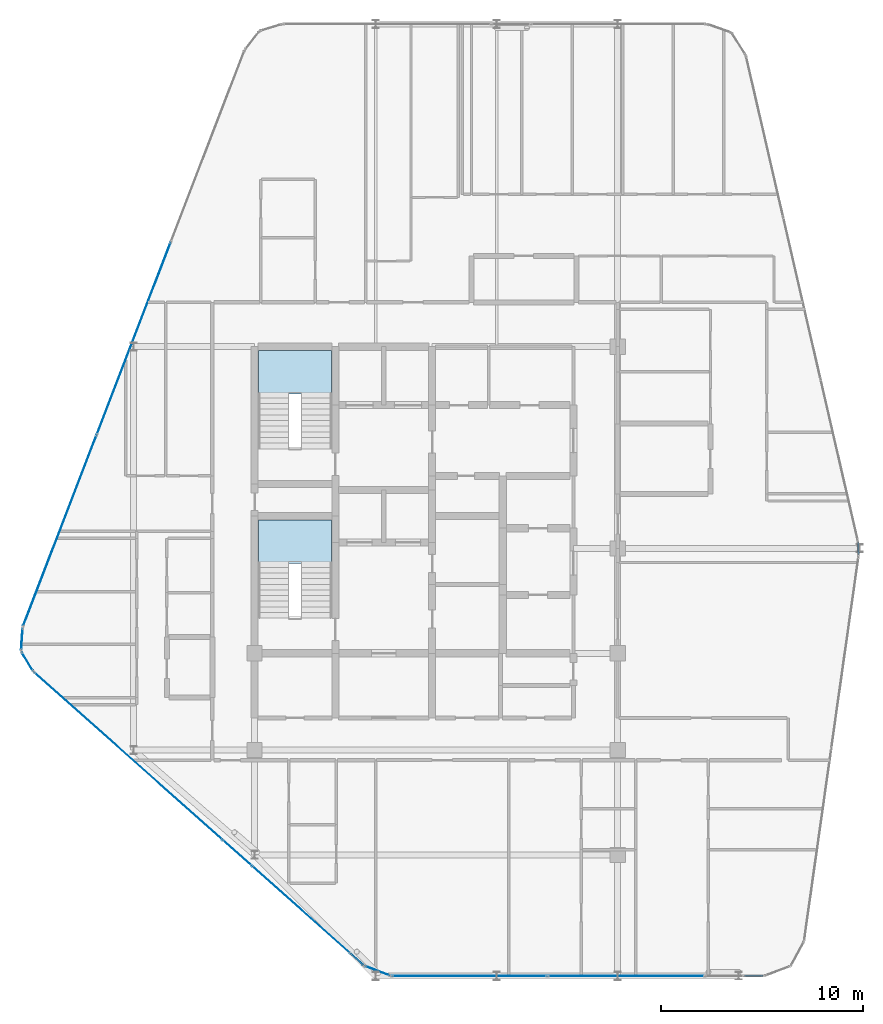
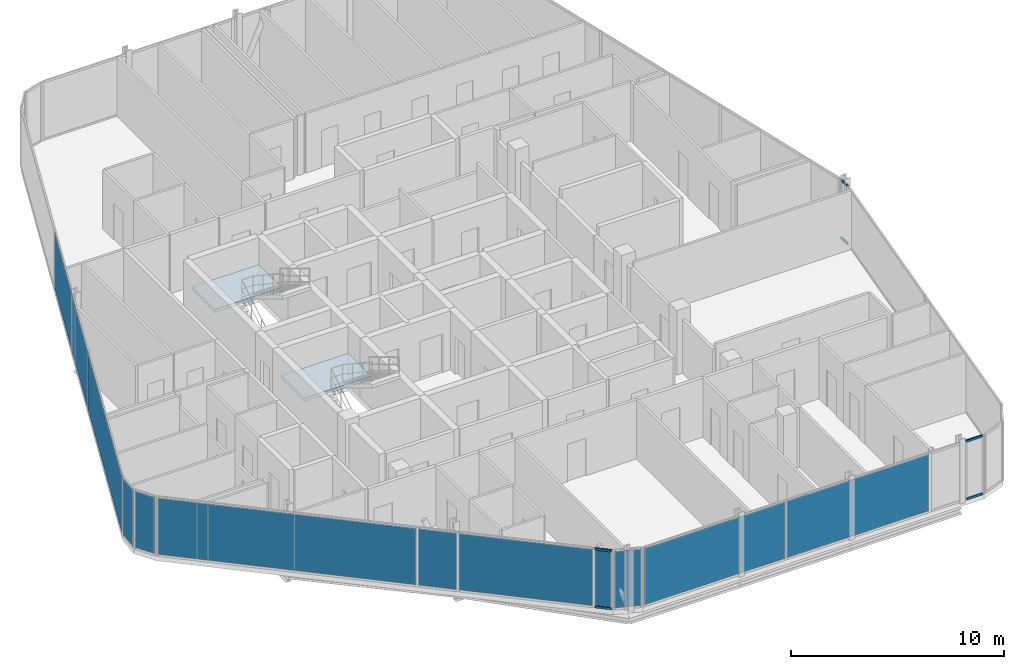
# One storey, part 22 of 31: 11 plates, 6 members, 2 slabs, 13 elements without a shape of their own.
"""IFC4 building model written with IfcOpenShell, lengths in metres."""

from ifc_helpers import new_model, si_unit, direction, frame, origin, origin_2d, place, context, subcontext, project, spatial, polyline, rectangle, hollow_rectangle, outline, extrude, material, layer, layer_set, material_profile, profile_set, type_object, element, aggregate, save


model = new_model("IFC4")

# Units and contexts
model_context = context("Model", 3, precision=1e-05, world=origin(), true_north=direction((0.0, 1.0)))
body_context = subcontext(model_context, "Body", "Model", "MODEL_VIEW")
ifc_project = project(units=[si_unit("LENGTHUNIT", "METRE"), si_unit("AREAUNIT", "SQUARE_METRE"), si_unit("VOLUMEUNIT", "CUBIC_METRE"), si_unit("PLANEANGLEUNIT", "RADIAN"), si_unit("MASSUNIT", "GRAM", prefix="KILO")], contexts=[model_context])

# Site, building, storey
site_placement = place(None, origin())
site = spatial("IfcSite", under=ifc_project, at=site_placement, CompositionType="ELEMENT")
building_placement = place(site_placement, origin())
building = spatial("IfcBuilding", under=site, at=building_placement, Name="Keshet Zoharim Tower", CompositionType="ELEMENT")
storey_placement = place(building_placement, frame((0.0, 0.0, 276.89990234375)))
storey = spatial("IfcBuildingStorey", under=building, at=storey_placement, Name="L69", CompositionType="ELEMENT", Elevation=276.89990234375)

# Curtain wall, members
ifc_material_1 = material(Name="Aluminium 6063-T6", Category="aluminium")
ifc_layer_1 = layer(ifc_material_1, 0.260009765625)
ifc_layer_set_1 = layer_set([ifc_layer_1], Name="Aluminium 6063-T6")
curtain_wall_type = type_object("IfcCurtainWallType", Name="CW-SYS-06", PredefinedType="NOTDEFINED", material=ifc_layer_set_1)
curtain_wall_1_placement = place(storey_placement, origin())
curtain_wall_1 = element("IfcCurtainWall", 1, at=curtain_wall_1_placement, inside=storey, type_object=curtain_wall_type, Name="L69 Unitised Curtain Wall 10", PredefinedType="NOTDEFINED")
ifc_material_profile = material_profile(ifc_material_1, hollow_rectangle(XDim=0.074951171875, YDim=0.1201171875, WallThickness=0.00390625, at=origin_2d()), Name="TRN-75x120")
ifc_profile_set = profile_set([ifc_material_profile], Name="Aluminium 6063-T6")
member_type = type_object("IfcMemberType", Name="CWT-T12", PredefinedType="USERDEFINED", material=ifc_profile_set)
member_1_placement = place(storey_placement, frame((44.9189453125, 28.192138671875, 0.03515625), z_axis=(0.043813905352, -0.99903970977, 0.0), x_axis=(0.99903970977, 0.043813905352, 0.0)))
member_1 = element("IfcMember", 2, at=member_1_placement, type_object=member_type, Name="CW-06 transom 1.1", ObjectType="TRANSOM", PredefinedType="USERDEFINED", context=body_context, shape_type="SweptSolid", body=[
    extrude(hollow_rectangle(XDim=0.074951171875, YDim=0.1201171875, WallThickness=0.00390625, at=origin_2d()), origin(), (0.0, 0.0, 1.0), 0.590576171875),
])
member_2_placement = place(storey_placement, frame((44.9189453125, 28.192138671875, 3.35498046875), z_axis=(0.043813905352, -0.99903970977, 0.0), x_axis=(0.99903970977, 0.043813905352, 0.0)))
member_2 = element("IfcMember", 3, at=member_2_placement, type_object=member_type, Name="CW-06 transom 1.2", ObjectType="TRANSOM", PredefinedType="USERDEFINED", context=body_context, shape_type="SweptSolid", body=[
    extrude(hollow_rectangle(XDim=0.074951171875, YDim=0.1201171875, WallThickness=0.00390625, at=origin_2d()), origin(), (0.0, 0.0, 1.0), 0.590576171875),
])
aggregate(curtain_wall_1, [member_1, member_2])

curtain_wall_2_placement = place(storey_placement, origin())
curtain_wall_2 = element("IfcCurtainWall", 4, at=curtain_wall_2_placement, inside=storey, type_object=curtain_wall_type, Name="L69 Unitised Curtain Wall 14", PredefinedType="NOTDEFINED")
member_3_placement = place(storey_placement, frame((40.193115234375, 6.699951171875, 0.03515625), z_axis=(-1.0, 0.0, 0.0), x_axis=(0.0, -1.0, 0.0)))
member_3 = element("IfcMember", 5, at=member_3_placement, type_object=member_type, Name="CW-06 transom 1.1", ObjectType="TRANSOM", PredefinedType="USERDEFINED", context=body_context, shape_type="SweptSolid", body=[
    extrude(hollow_rectangle(XDim=0.074951171875, YDim=0.1201171875, WallThickness=0.00390625, at=origin_2d()), origin(), (0.0, 0.0, 1.0), 0.898193359375),
])
member_4_placement = place(storey_placement, frame((40.193115234375, 6.699951171875, 3.35498046875), z_axis=(-1.0, 0.0, 0.0), x_axis=(0.0, -1.0, 0.0)))
member_4 = element("IfcMember", 6, at=member_4_placement, type_object=member_type, Name="CW-06 transom 1.2", ObjectType="TRANSOM", PredefinedType="USERDEFINED", context=body_context, shape_type="SweptSolid", body=[
    extrude(hollow_rectangle(XDim=0.074951171875, YDim=0.1201171875, WallThickness=0.00390625, at=origin_2d()), origin(), (0.0, 0.0, 1.0), 0.898193359375),
])
aggregate(curtain_wall_2, [member_3, member_4])

curtain_wall_3_placement = place(storey_placement, origin())
curtain_wall_3 = element("IfcCurtainWall", 7, at=curtain_wall_3_placement, inside=storey, type_object=curtain_wall_type, Name="L69 Unitised Curtain Wall 16", PredefinedType="NOTDEFINED")
member_5_placement = place(storey_placement, frame((20.379638671875, 7.25146484375, 0.03515625), z_axis=(-0.747425688953, 0.66434542182, 0.0), x_axis=(-0.66434542182, -0.747425688953, 0.0)))
member_5 = element("IfcMember", 8, at=member_5_placement, type_object=member_type, Name="CW-06 transom 1.1", ObjectType="TRANSOM", PredefinedType="USERDEFINED", context=body_context, shape_type="SweptSolid", body=[
    extrude(hollow_rectangle(XDim=0.074951171875, YDim=0.1201171875, WallThickness=0.00390625, at=origin_2d()), origin(), (0.0, 0.0, 1.0), 0.82275390625),
])
member_6_placement = place(storey_placement, frame((20.379638671875, 7.25146484375, 3.35498046875), z_axis=(-0.747425688953, 0.66434542182, 0.0), x_axis=(-0.66434542182, -0.747425688953, 0.0)))
member_6 = element("IfcMember", 9, at=member_6_placement, type_object=member_type, Name="CW-06 transom 1.2", ObjectType="TRANSOM", PredefinedType="USERDEFINED", context=body_context, shape_type="SweptSolid", body=[
    extrude(hollow_rectangle(XDim=0.074951171875, YDim=0.1201171875, WallThickness=0.00390625, at=origin_2d()), origin(), (0.0, 0.0, 1.0), 0.82275390625),
])

# Curtain wall, plate
curtain_wall_4_placement = place(storey_placement, origin())
curtain_wall_4 = element("IfcCurtainWall", 10, at=curtain_wall_4_placement, inside=storey, type_object=curtain_wall_type, Name="L69 Unitised Curtain Wall 01", PredefinedType="NOTDEFINED")
ifc_material_2 = material(Name="Insulated Low-E Clear Glass", Category="glass")
ifc_layer_2 = layer(ifc_material_2, 0.028076171875)
ifc_layer_set_2 = layer_set([ifc_layer_2], Name="Insulated Low-E Clear Glass")
plate_type_1 = type_object("IfcPlateType", Name="CWP-03", PredefinedType="CURTAIN_PANEL", material=ifc_layer_set_2)
plate_1_placement = place(storey_placement, frame((3.7275390625, 22.291015625, 0.070068359375), z_axis=(0.0, 0.0, 1.0), x_axis=(-0.515604947933, 0.856826433805, 0.0)))
plate_1 = element("IfcPlate", 11, at=plate_1_placement, type_object=plate_type_1, Name="CW-06 panel 1.1", PredefinedType="CURTAIN_PANEL", context=body_context, shape_type="SweptSolid", body=[
    extrude(rectangle(XDim=1.052734375, YDim=0.028076171875, at=origin_2d()), origin(), (0.0, 0.0, 1.0), 3.25),
])
aggregate(curtain_wall_4, [plate_1])

curtain_wall_5_placement = place(storey_placement, origin())
curtain_wall_5 = element("IfcCurtainWall", 12, at=curtain_wall_5_placement, inside=storey, type_object=curtain_wall_type, Name="L69 Unitised Curtain Wall 02", PredefinedType="NOTDEFINED")
plate_2_placement = place(storey_placement, frame((3.45849609375, 23.3974609375, 0.070068359375), z_axis=(0.0, 0.0, 1.0), x_axis=(0.064516859374, 0.997916617186, 0.0)))
plate_2 = element("IfcPlate", 13, at=plate_2_placement, type_object=plate_type_1, Name="CW-06 panel 1.1", PredefinedType="CURTAIN_PANEL", context=body_context, shape_type="SweptSolid", body=[
    extrude(rectangle(XDim=1.053466796875, YDim=0.028076171875, at=origin_2d()), origin(), (0.0, 0.0, 1.0), 3.25),
])
aggregate(curtain_wall_5, [plate_2])

# Curtain wall, plates
curtain_wall_6_placement = place(storey_placement, origin())
curtain_wall_6 = element("IfcCurtainWall", 14, at=curtain_wall_6_placement, inside=storey, type_object=curtain_wall_type, Name="L69 Unitised Curtain Wall 03", PredefinedType="NOTDEFINED")
plate_3_placement = place(storey_placement, frame((5.33837890625, 28.7802734375, 0.070068359375), z_axis=(0.0, 0.0, 1.0), x_axis=(0.358990003907, 0.933341404361, 0.0)))
plate_3 = element("IfcPlate", 15, at=plate_3_placement, type_object=plate_type_1, Name="CW-06 panel 1.1", PredefinedType="CURTAIN_PANEL", context=body_context, shape_type="SweptSolid", body=[
    extrude(rectangle(XDim=10.1181640625, YDim=0.028076171875, at=origin_2d()), origin(), (0.0, 0.0, 1.0), 3.25),
])
plate_4_placement = place(storey_placement, frame((9.001953125, 38.305419921875, 0.070068359375), z_axis=(0.0, 0.0, 1.0), x_axis=(0.358990003907, 0.933341404361, 0.0)))
plate_4 = element("IfcPlate", 16, at=plate_4_placement, type_object=plate_type_1, Name="CW-06 panel 2.1", PredefinedType="CURTAIN_PANEL", context=body_context, shape_type="SweptSolid", body=[
    extrude(rectangle(XDim=10.153076171875, YDim=0.028076171875, at=origin_2d()), origin(), (0.0, 0.0, 1.0), 3.25),
])
aggregate(curtain_wall_6, [plate_3, plate_4])

curtain_wall_7_placement = place(storey_placement, origin())
curtain_wall_7 = element("IfcCurtainWall", 17, at=curtain_wall_7_placement, inside=storey, type_object=curtain_wall_type, Name="L69 Unitised Curtain Wall 14 Part 3", PredefinedType="NOTDEFINED")
plate_5_placement = place(storey_placement, frame((33.413818359375, 6.699951171875, 0.070068359375), z_axis=(0.0, 0.0, 1.0), x_axis=(-1.0, 0.0, 0.0)))
plate_5 = element("IfcPlate", 18, at=plate_5_placement, type_object=plate_type_1, Name="CW-06 panel 1.1", PredefinedType="CURTAIN_PANEL", context=body_context, shape_type="SweptSolid", body=[
    extrude(rectangle(XDim=7.72265625, YDim=0.028076171875, at=origin_2d()), origin(), (0.0, 0.0, 1.0), 3.25),
])
plate_6_placement = place(storey_placement, frame((25.65625, 6.699951171875, 0.070068359375), z_axis=(0.0, 0.0, 1.0), x_axis=(-1.0, 0.0, 0.0)))
plate_6 = element("IfcPlate", 19, at=plate_6_placement, type_object=plate_type_1, Name="CW-06 panel 2.1", PredefinedType="CURTAIN_PANEL", context=body_context, shape_type="SweptSolid", body=[
    extrude(rectangle(XDim=7.652587890625, YDim=0.028076171875, at=origin_2d()), origin(), (0.0, 0.0, 1.0), 3.25),
])
aggregate(curtain_wall_7, [plate_5, plate_6])

# Curtain wall, plate
curtain_wall_8_placement = place(storey_placement, origin())
curtain_wall_8 = element("IfcCurtainWall", 20, at=curtain_wall_8_placement, inside=storey, type_object=curtain_wall_type, Name="L69 Unitised Curtain Wall 16 Part 2", PredefinedType="NOTDEFINED")
plate_7_placement = place(storey_placement, frame((17.30078125, 9.98828125, 0.070068359375), z_axis=(0.0, 0.0, 1.0), x_axis=(-0.747408472879, 0.664364790358, 0.0)))
plate_7 = element("IfcPlate", 21, at=plate_7_placement, type_object=plate_type_1, Name="CW-06 panel 1.1", PredefinedType="CURTAIN_PANEL", context=body_context, shape_type="SweptSolid", body=[
    extrude(rectangle(XDim=6.453125, YDim=0.028076171875, at=origin_2d()), origin(), (0.0, 0.0, 1.0), 3.25),
])
aggregate(curtain_wall_8, [plate_7])

curtain_wall_9_placement = place(storey_placement, origin())
curtain_wall_9 = element("IfcCurtainWall", 22, at=curtain_wall_9_placement, inside=storey, type_object=curtain_wall_type, Name="L69 Unitised Curtain Wall 16 Part 4", PredefinedType="NOTDEFINED")
plate_8_placement = place(storey_placement, frame((8.7333984375, 17.603515625, 0.070068359375), z_axis=(0.0, 0.0, 1.0), x_axis=(-0.747409318679, 0.664363838836, 0.0)))
plate_8 = element("IfcPlate", 23, at=plate_8_placement, type_object=plate_type_1, Name="CW-06 panel 1.1", PredefinedType="CURTAIN_PANEL", context=body_context, shape_type="SweptSolid", body=[
    extrude(rectangle(XDim=12.432861328125, YDim=0.028076171875, at=origin_2d()), origin(), (0.0, 0.0, 1.0), 3.25),
])
aggregate(curtain_wall_9, [plate_8])

curtain_wall_10_placement = place(storey_placement, origin())
curtain_wall_10 = element("IfcCurtainWall", 24, at=curtain_wall_10_placement, inside=storey, type_object=curtain_wall_type, Name="L69 Unitised Curtain Wall 15", PredefinedType="NOTDEFINED")
ifc_material_3 = material(Name="Insulated Aluminium Spandrel Panel", Category="aluminium")
ifc_layer_3 = layer(ifc_material_3, 0.028076171875)
ifc_layer_set_3 = layer_set([ifc_layer_3], Name="Insulated Aluminium Spandrel Panel")
plate_type_2 = type_object("IfcPlateType", Name="CWP-06", PredefinedType="CURTAIN_PANEL", material=ifc_layer_set_3)
plate_9_placement = place(storey_placement, frame((21.095947265625, 6.952392578125, 0.070068359375), z_axis=(0.0, 0.0, 1.0), x_axis=(-0.934699418314, 0.355439161326, 0.0)))
plate_9 = element("IfcPlate", 25, at=plate_9_placement, type_object=plate_type_2, Name="CW-06 spandrel panel 1.1", PredefinedType="CURTAIN_PANEL", context=body_context, shape_type="SweptSolid", body=[
    extrude(rectangle(XDim=1.28076171875, YDim=0.028076171875, at=origin_2d()), origin(), (0.0, 0.0, 1.0), 3.25),
])
aggregate(curtain_wall_10, [plate_9])

# Plate
plate_10_placement = place(storey_placement, frame((20.072265625, 7.52490234375, 0.070068359375), z_axis=(0.0, 0.0, 1.0), x_axis=(-0.747426507819, 0.664344500549, 0.0)))
plate_10 = element("IfcPlate", 26, at=plate_10_placement, type_object=plate_type_2, Name="CW-06 spandrel panel 1.1", PredefinedType="CURTAIN_PANEL", context=body_context, shape_type="SweptSolid", body=[
    extrude(rectangle(XDim=0.822998046875, YDim=0.028076171875, at=origin_2d()), origin(), (0.0, 0.0, 1.0), 3.25),
])

aggregate(curtain_wall_3, [member_5, member_6, plate_10])

# Curtain wall, plate
curtain_wall_11_placement = place(storey_placement, origin())
curtain_wall_11 = element("IfcCurtainWall", 27, at=curtain_wall_11_placement, inside=storey, type_object=curtain_wall_type, Name="L69 Unitised Curtain Wall 16 Part 3", PredefinedType="NOTDEFINED")
plate_11_placement = place(storey_placement, frame((14.134521484375, 12.802734375, 0.070068359375), z_axis=(0.0, 0.0, 1.0), x_axis=(-0.747431957629, 0.664338369143, 0.0)))
plate_11 = element("IfcPlate", 28, at=plate_11_placement, type_object=plate_type_2, Name="CW-06 spandrel panel 1.1", PredefinedType="CURTAIN_PANEL", context=body_context, shape_type="SweptSolid", body=[
    extrude(rectangle(XDim=1.879638671875, YDim=0.028076171875, at=origin_2d()), origin(), (0.0, 0.0, 1.0), 3.25),
])
aggregate(curtain_wall_11, [plate_11])

# Stair, slab
ifc_material_4 = material(Name="Concrete C50/60", Category="concrete")
stair_type = type_object("IfcStairType", Name="STR-EXIT-135", PredefinedType="HALF_TURN_STAIR", material=ifc_material_4)
stair_1_placement = place(storey_placement, origin())
stair_1 = element("IfcStair", 29, at=stair_1_placement, inside=storey, type_object=stair_type, Name="L69 Enclosed Exit Stair ST-01", PredefinedType="HALF_TURN_STAIR")
ifc_layer_4 = layer(ifc_material_4, 0.199951171875)
ifc_layer_set_4 = layer_set([ifc_layer_4], Name="Concrete C50/60")
slab_type = type_object("IfcSlabType", Name="SLB-LND-200", PredefinedType="LANDING", material=ifc_layer_set_4)
slab_1_placement = place(storey_placement, frame((0.0, 0.0, 1.650146484375)))
slab_1 = element("IfcSlab", 30, at=slab_1_placement, type_object=slab_type, Name="ST-01 landing 1", PredefinedType="LANDING", context=body_context, shape_type="SweptSolid", body=[
    extrude(outline(polyline([(15.179931640625, 27.159912109375), (18.820068359375, 27.159912109375), (18.820068359375, 29.320068359375), (15.179931640625, 29.320068359375), (15.179931640625, 27.159912109375)])), origin(), (0.0, 0.0, 1.0), 0.199951171875),
])
aggregate(stair_1, [slab_1])

stair_2_placement = place(storey_placement, origin())
stair_2 = element("IfcStair", 31, at=stair_2_placement, inside=storey, type_object=stair_type, Name="L69 Enclosed Exit Stair ST-02", PredefinedType="HALF_TURN_STAIR")
slab_2_placement = place(storey_placement, frame((0.0, 0.0, 1.650146484375)))
slab_2 = element("IfcSlab", 32, at=slab_2_placement, type_object=slab_type, Name="ST-02 landing 1", PredefinedType="LANDING", context=body_context, shape_type="SweptSolid", body=[
    extrude(outline(polyline([(15.179931640625, 35.56005859375), (18.820068359375, 35.56005859375), (18.820068359375, 37.719970703125), (15.179931640625, 37.719970703125), (15.179931640625, 35.56005859375)])), origin(), (0.0, 0.0, 1.0), 0.199951171875),
])
aggregate(stair_2, [slab_2])

save(model, "model.ifc")
